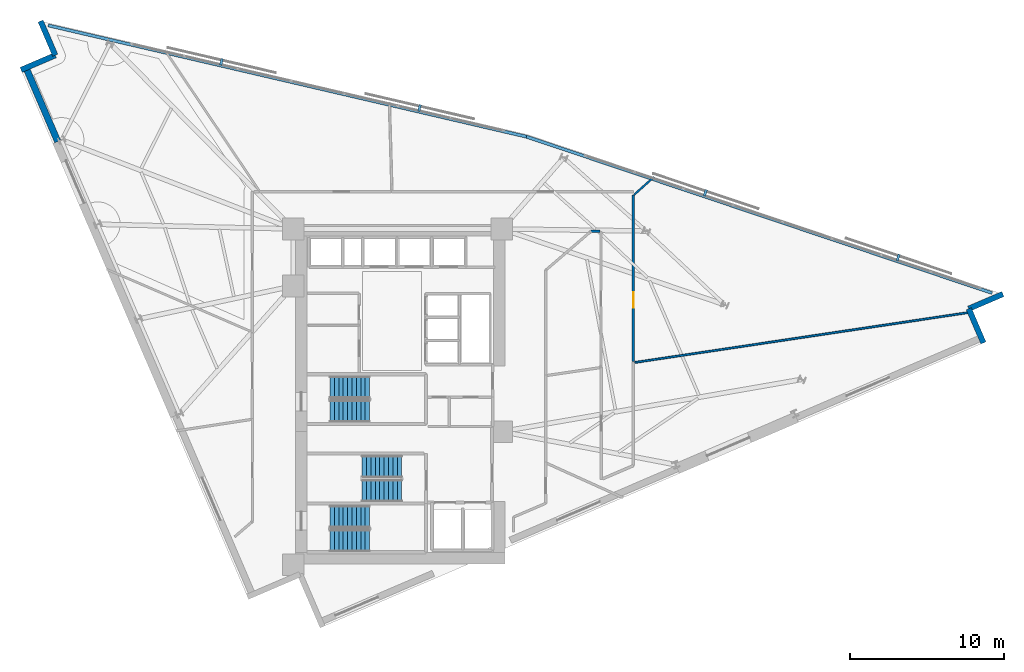
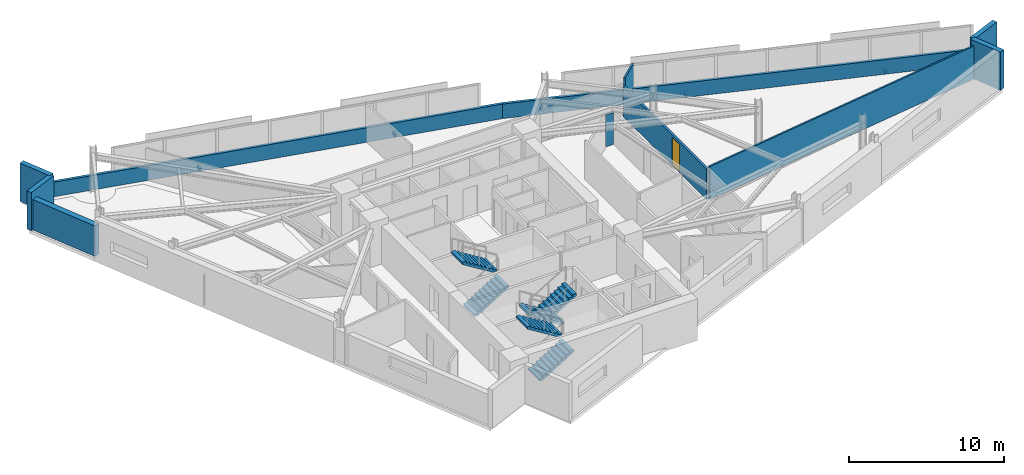
# One storey, part 12 of 14: 11 walls, 6 stair flights, 4 discrete accessories, 1 door, 1 opening, 3 elements without a shape of their own.
"""IFC4 building model written with IfcOpenShell, lengths in metres."""

from ifc_helpers import new_model, si_unit, direction, frame, frame_2d, origin, origin_2d, place, context, subcontext, project, spatial, polyline, rectangle, outline, extrude, material, layer, layer_set, type_object, element, fill, aggregate, save


model = new_model("IFC4")

# Units and contexts
model_context = context("Model", 3, precision=1e-05, world=origin(), true_north=direction((0.0, 1.0)))
body_context = subcontext(model_context, "Body", "Model", "MODEL_VIEW")
ifc_project = project(units=[si_unit("LENGTHUNIT", "METRE"), si_unit("AREAUNIT", "SQUARE_METRE"), si_unit("VOLUMEUNIT", "CUBIC_METRE"), si_unit("PLANEANGLEUNIT", "RADIAN"), si_unit("MASSUNIT", "GRAM", prefix="KILO")], contexts=[model_context])

# Site, building, storey
site_placement = place(None, origin())
site = spatial("IfcSite", under=ifc_project, at=site_placement, CompositionType="ELEMENT")
building_placement = place(site_placement, origin())
building = spatial("IfcBuilding", under=site, at=building_placement, Name="Narakoshi Arena Tower", CompositionType="ELEMENT")
storey_placement = place(building_placement, frame((0.0, 0.0, 193.179931640625)))
storey = spatial("IfcBuildingStorey", under=building, at=storey_placement, Name="L52", CompositionType="ELEMENT", Elevation=193.179931640625)

# Wall, opening, door
ifc_material_1 = material(Name="Gypsum plasterboard fire-rated partition")
ifc_layer_1 = layer(ifc_material_1, 0.1650390625)
ifc_layer_set_1 = layer_set([ifc_layer_1], Name="Gypsum plasterboard fire-rated partition")
wall_type_1 = type_object("IfcWallType", Name="WL-CORR-165", PredefinedType="PARTITIONING", material=ifc_layer_set_1)
wall_1_placement = place(storey_placement, frame((94.08740234375, 47.88330078125, 0.0), z_axis=(0.0, 0.0, 1.0), x_axis=(0.0, 1.0, 0.0)))
wall_1 = element("IfcWall", 1, at=wall_1_placement, inside=storey, type_object=wall_type_1, Name="L52 Corridor Partition 04-1", PredefinedType="PARTITIONING", context=body_context, shape_type="SweptSolid", body=[
    extrude(rectangle(XDim=10.826904296875, YDim=0.1650390625, at=frame_2d((5.41357421875, 0.0))), origin(), (0.0, 0.0, 1.0), 2.405029296875),
])
opening_placement = place(wall_1_placement, frame((3.49951171875, 0.0, 0.0)))
opening = element("IfcOpeningElement", 2, at=opening_placement, cuts=wall_1, Name="Opening D-06", PredefinedType="OPENING", context=body_context, shape_type="SweptSolid", body=[
    extrude(rectangle(XDim=1.0, YDim=2.199951171875, at=frame_2d((0.5, 1.10009765625))), frame((0.0, 0.092529296875, 0.0), z_axis=(0.0, -1.0, 0.0), x_axis=(1.0, 0.0, 0.0)), (0.0, 0.0, 1.0), 0.18505859375),
])
ifc_material_2 = material(Name="Stained oak solid-core timber", Category="wood")
door_type = type_object("IfcDoorType", Name="DR-OFF-1000", OperationType="NOTDEFINED", PredefinedType="DOOR", material=ifc_material_2)
door_placement = place(opening_placement, frame((1.0, 0.0, 0.0), z_axis=(0.0, 0.0, 1.0), x_axis=(-1.0, 0.0, 0.0)))
door = element("IfcDoor", 3, at=door_placement, inside=storey, type_object=door_type, Name="DR-L52-021", OperationType="SINGLE_SWING_LEFT", OverallHeight=2.199951171875, OverallWidth=1.0, PredefinedType="DOOR", context=body_context, shape_type="SweptSolid", body=[
    extrude(rectangle(XDim=1.0, YDim=2.199951171875, at=frame_2d((0.5, 1.10009765625))), frame((0.0, 0.02490234375, 0.0), z_axis=(0.0, -1.0, 0.0), x_axis=(1.0, 0.0, 0.0)), (0.0, 0.0, 1.0), 0.050048828125),
])
fill(opening, door)

# Walls
ifc_material_3 = material(Name="Precast concrete C45/55", Category="concrete")
ifc_layer_2 = layer(ifc_material_3, 0.25)
ifc_layer_set_2 = layer_set([ifc_layer_2], Name="Precast concrete C45/55")
wall_type_2 = type_object("IfcWallType", Name="WL-PARA-250", PredefinedType="PARAPET", material=ifc_layer_set_2)
wall_2_placement = place(storey_placement, frame((117.362548828125, 52.343505859375, 0.0), z_axis=(0.0, 0.0, 1.0), x_axis=(-0.94800468727, 0.31825636351, 0.0)))
element("IfcWall", 4, at=wall_2_placement, inside=storey, type_object=wall_type_2, Name="L52 Hypotenuse Sill Upstand Parapet 1-01", PredefinedType="PARAPET", context=body_context, shape_type="SweptSolid", body=[
    extrude(rectangle(XDim=31.869140625, YDim=0.199951171875, at=frame_2d((15.9345703125, 0.0))), origin(), (0.0, 0.0, 1.0), 1.150146484375),
])
wall_3_placement = place(storey_placement, frame((87.1650390625, 62.48193359375, 0.0), z_axis=(0.0, 0.0, 1.0), x_axis=(-0.973958867717, 0.226724775876, 0.0)))
element("IfcWall", 5, at=wall_3_placement, inside=storey, type_object=wall_type_2, Name="L52 Hypotenuse Sill Upstand Parapet 2-01", PredefinedType="PARAPET", context=body_context, shape_type="SweptSolid", body=[
    extrude(rectangle(XDim=31.89208984375, YDim=0.199951171875, at=frame_2d((15.946044921875, 0.0))), origin(), (0.0, 0.0, 1.0), 1.150146484375),
])
ifc_layer_3 = layer(ifc_material_1, 0.125)
ifc_layer_set_3 = layer_set([ifc_layer_3], Name="Gypsum plasterboard fire-rated partition")
wall_type_3 = type_object("IfcWallType", Name="WL-PART-125", PredefinedType="PARTITIONING", material=ifc_layer_set_3)
wall_4_placement = place(storey_placement, frame((94.181884765625, 47.83740234375, 0.0), z_axis=(0.0, 0.0, 1.0), x_axis=(0.988998268758, 0.147927091481, 0.0)))
element("IfcWall", 6, at=wall_4_placement, inside=storey, type_object=wall_type_3, Name="L52 Inter-Room Partition 03-04", PredefinedType="PARTITIONING", context=body_context, shape_type="SweptSolid", body=[
    extrude(rectangle(XDim=22.00830078125, YDim=0.125, at=frame_2d((11.004150390625, 0.0))), origin(), (0.0, 0.0, 1.0), 2.60498046875),
])
wall_5_placement = place(storey_placement, frame((94.119140625, 58.710205078125, 0.0), z_axis=(0.0, 0.0, 1.0), x_axis=(0.745853553409, 0.66610995854, 0.0)))
element("IfcWall", 7, at=wall_5_placement, inside=storey, type_object=wall_type_3, Name="L52 Inter-Room Partition 04-06", PredefinedType="PARTITIONING", context=body_context, shape_type="SweptSolid", body=[
    extrude(rectangle(XDim=1.751220703125, YDim=0.125, at=frame_2d((0.87548828125, 0.0))), origin(), (0.0, 0.0, 1.0), 3.02001953125),
])
ifc_layer_4 = layer(ifc_material_3, 0.419921875)
ifc_layer_set_4 = layer_set([ifc_layer_4], Name="Precast concrete C45/55")
wall_type_4 = type_object("IfcWallType", Name="WL-POD-420", PredefinedType="SOLIDWALL", material=ifc_layer_set_4)
wall_6_placement = place(storey_placement, frame((54.6708984375, 66.958984375, 0.0), z_axis=(0.0, 0.0, 1.0), x_axis=(0.394733507229, -0.918795656428, 0.0)))
element("IfcWall", 8, at=wall_6_placement, inside=storey, type_object=wall_type_4, Name="L52 Architectural Concrete Facade Wall LEGB-1", PredefinedType="SOLIDWALL", context=body_context, shape_type="SweptSolid", body=[
    extrude(rectangle(XDim=5.210205078125, YDim=0.419921875, at=frame_2d((2.60498046875, 0.0))), origin(), (0.0, 0.0, 1.0), 2.405029296875),
])
wall_7_placement = place(storey_placement, frame((116.8017578125, 49.105712890625, 0.0), z_axis=(0.0, 0.0, 1.0), x_axis=(-0.394712707157, 0.918804592288, 0.0)))
element("IfcWall", 9, at=wall_7_placement, inside=storey, type_object=wall_type_4, Name="L52 Re-Entrant Corner Notch Wall NTE-1", PredefinedType="SOLIDWALL", context=body_context, shape_type="SweptSolid", body=[
    extrude(rectangle(XDim=2.41357421875, YDim=0.360107421875, at=frame_2d((1.206787109375, 0.0))), origin(), (0.0, 0.0, 1.0), 3.02001953125),
])
wall_8_placement = place(storey_placement, frame((115.84912109375, 51.3232421875, 0.0), z_axis=(0.0, 0.0, 1.0), x_axis=(0.918788830096, 0.394749396062, 0.0)))
element("IfcWall", 10, at=wall_8_placement, inside=storey, type_object=wall_type_4, Name="L52 Re-Entrant Corner Notch Wall NTE-2", PredefinedType="SOLIDWALL", context=body_context, shape_type="SweptSolid", body=[
    extrude(rectangle(XDim=2.413330078125, YDim=0.360107421875, at=frame_2d((1.20654296875, 0.0))), origin(), (0.0, 0.0, 1.0), 3.02001953125),
])
wall_9_placement = place(storey_placement, frame((55.614013671875, 69.99072265625, 0.0), z_axis=(0.0, 0.0, 1.0), x_axis=(0.394663989422, -0.918825519592, 0.0)))
element("IfcWall", 11, at=wall_9_placement, inside=storey, type_object=wall_type_4, Name="L52 Re-Entrant Corner Notch Wall NTN-1", PredefinedType="SOLIDWALL", context=body_context, shape_type="SweptSolid", body=[
    extrude(rectangle(XDim=2.4130859375, YDim=0.360107421875, at=frame_2d((1.20654296875, 0.0))), origin(), (0.0, 0.0, 1.0), 3.02001953125),
])
wall_10_placement = place(storey_placement, frame((56.56640625, 67.7734375, 0.0), z_axis=(0.0, 0.0, 1.0), x_axis=(-0.918788830096, -0.394749396062, 0.0)))
element("IfcWall", 12, at=wall_10_placement, inside=storey, type_object=wall_type_4, Name="L52 Re-Entrant Corner Notch Wall NTN-2", PredefinedType="SOLIDWALL", context=body_context, shape_type="SweptSolid", body=[
    extrude(rectangle(XDim=2.413330078125, YDim=0.360107421875, at=frame_2d((1.20654296875, 0.0))), origin(), (0.0, 0.0, 1.0), 3.02001953125),
])
ifc_material_4 = material(Name="Moisture-resistant cement-board partition")
ifc_layer_5 = layer(ifc_material_4, 0.14501953125)
ifc_layer_set_5 = layer_set([ifc_layer_5], Name="Moisture-resistant cement-board partition")
wall_type_5 = type_object("IfcWallType", Name="WL-WET-145", PredefinedType="PARTITIONING", material=ifc_layer_set_5)
wall_11_placement = place(storey_placement, frame((91.33837890625, 56.35009765625, 0.0), z_axis=(0.0, 0.0, 1.0), x_axis=(1.0, 0.0, 0.0)))
element("IfcWall", 13, at=wall_11_placement, inside=storey, type_object=wall_type_5, Name="L52 Corridor Partition 05-3", PredefinedType="PARTITIONING", context=body_context, shape_type="SweptSolid", body=[
    extrude(rectangle(XDim=0.564697265625, YDim=0.14501953125, at=frame_2d((0.2822265625, 0.0))), origin(), (0.0, 0.0, 1.0), 2.505126953125),
])

# Stair, stair flights
ifc_material_5 = material(Name="Concrete C45/55", Category="concrete")
stair_type = type_object("IfcStairType", Name="STR-CORE-352", PredefinedType="TWO_STRAIGHT_RUN_STAIR", material=ifc_material_5)
stair_1_placement = place(storey_placement, origin())
stair_1 = element("IfcStair", 14, at=stair_1_placement, inside=storey, type_object=stair_type, Name="L52 Core Escape Stair ST1", PredefinedType="TWO_STRAIGHT_RUN_STAIR")
stair_flight_type = type_object("IfcStairFlightType", Name="FLT-145-160", PredefinedType="STRAIGHT", material=ifc_material_3)
stair_flight_1_placement = place(storey_placement, frame((74.39990234375, 36.27490234375, 0.0), z_axis=(0.0, 0.0, 1.0), x_axis=(1.0, 0.0, 0.0)))
stair_flight_1 = element("IfcStairFlight", 15, at=stair_flight_1_placement, type_object=stair_flight_type, Name="ST1 flight 1", NumberOfRisers=10, NumberOfTreads=9, PredefinedType="STRAIGHT", RiserHeight=0.176, TreadLength=0.285, context=body_context, shape_type="SweptSolid", body=[
    extrude(outline(polyline([(0.0, 0.0), (0.0, 0.176025390625), (0.284912109375, 0.176025390625), (0.284912109375, 0.35205078125), (0.570068359375, 0.35205078125), (0.570068359375, 0.528076171875), (0.85498046875, 0.528076171875), (0.85498046875, 0.7041015625), (1.139892578125, 0.7041015625), (1.139892578125, 0.8798828125), (1.425048828125, 0.8798828125), (1.425048828125, 1.055908203125), (1.7099609375, 1.055908203125), (1.7099609375, 1.23193359375), (1.9951171875, 1.23193359375), (1.9951171875, 1.407958984375), (2.280029296875, 1.407958984375), (2.280029296875, 1.583984375), (2.56494140625, 1.583984375), (2.56494140625, 1.760009765625), (2.56494140625, 1.40771484375), (0.285400390625, 0.0), (0.0, 0.0)])), frame((0.0, 0.72509765625, 0.0), z_axis=(0.0, -1.0, 0.0), x_axis=(1.0, 0.0, 0.0)), (0.0, 0.0, 1.0), 1.449951171875),
])
stair_flight_2_placement = place(storey_placement, frame((76.965087890625, 37.824951171875, 1.760009765625), z_axis=(0.0, 0.0, 1.0), x_axis=(-1.0, 0.0, 0.0)))
stair_flight_2 = element("IfcStairFlight", 16, at=stair_flight_2_placement, type_object=stair_flight_type, Name="ST1 flight 2", NumberOfRisers=10, NumberOfTreads=9, PredefinedType="STRAIGHT", RiserHeight=0.176, TreadLength=0.285, context=body_context, shape_type="SweptSolid", body=[
    extrude(outline(polyline([(0.0, 0.0), (0.0, 0.176025390625), (0.284912109375, 0.176025390625), (0.284912109375, 0.35205078125), (0.570068359375, 0.35205078125), (0.570068359375, 0.528076171875), (0.85498046875, 0.528076171875), (0.85498046875, 0.7041015625), (1.139892578125, 0.7041015625), (1.139892578125, 0.8798828125), (1.425048828125, 0.8798828125), (1.425048828125, 1.055908203125), (1.7099609375, 1.055908203125), (1.7099609375, 1.23193359375), (1.9951171875, 1.23193359375), (1.9951171875, 1.407958984375), (2.280029296875, 1.407958984375), (2.280029296875, 1.583984375), (2.56494140625, 1.583984375), (2.56494140625, 1.760009765625), (2.56494140625, 1.40771484375), (0.285400390625, 0.0), (0.0, 0.0)])), frame((0.0, 0.72509765625, 0.0), z_axis=(0.0, -1.0, 0.0), x_axis=(1.0, 0.0, 0.0)), (0.0, 0.0, 1.0), 1.449951171875),
])
aggregate(stair_1, [stair_flight_1, stair_flight_2])

stair_2_placement = place(storey_placement, origin())
stair_2 = element("IfcStair", 17, at=stair_2_placement, inside=storey, type_object=stair_type, Name="L52 Core Escape Stair ST2", PredefinedType="TWO_STRAIGHT_RUN_STAIR")
stair_flight_3_placement = place(storey_placement, frame((79.050048828125, 41.074951171875, 0.0), z_axis=(0.0, 0.0, 1.0), x_axis=(-1.0, 0.0, 0.0)))
stair_flight_3 = element("IfcStairFlight", 18, at=stair_flight_3_placement, type_object=stair_flight_type, Name="ST2 flight 1", NumberOfRisers=10, NumberOfTreads=9, PredefinedType="STRAIGHT", RiserHeight=0.176, TreadLength=0.285, context=body_context, shape_type="SweptSolid", body=[
    extrude(outline(polyline([(0.0, 0.0), (0.0, 0.176025390625), (0.284912109375, 0.176025390625), (0.284912109375, 0.35205078125), (0.570068359375, 0.35205078125), (0.570068359375, 0.528076171875), (0.85498046875, 0.528076171875), (0.85498046875, 0.7041015625), (1.139892578125, 0.7041015625), (1.139892578125, 0.8798828125), (1.425048828125, 0.8798828125), (1.425048828125, 1.055908203125), (1.7099609375, 1.055908203125), (1.7099609375, 1.23193359375), (1.9951171875, 1.23193359375), (1.9951171875, 1.407958984375), (2.280029296875, 1.407958984375), (2.280029296875, 1.583984375), (2.56494140625, 1.583984375), (2.56494140625, 1.760009765625), (2.56494140625, 1.40771484375), (0.285400390625, 0.0), (0.0, 0.0)])), frame((0.0, 0.72509765625, 0.0), z_axis=(0.0, -1.0, 0.0), x_axis=(1.0, 0.0, 0.0)), (0.0, 0.0, 1.0), 1.449951171875),
])
stair_flight_4_placement = place(storey_placement, frame((76.485107421875, 39.52490234375, 1.760009765625), z_axis=(0.0, 0.0, 1.0), x_axis=(1.0, 0.0, 0.0)))
stair_flight_4 = element("IfcStairFlight", 19, at=stair_flight_4_placement, type_object=stair_flight_type, Name="ST2 flight 2", NumberOfRisers=10, NumberOfTreads=9, PredefinedType="STRAIGHT", RiserHeight=0.176, TreadLength=0.285, context=body_context, shape_type="SweptSolid", body=[
    extrude(outline(polyline([(0.0, 0.0), (0.0, 0.176025390625), (0.284912109375, 0.176025390625), (0.284912109375, 0.35205078125), (0.570068359375, 0.35205078125), (0.570068359375, 0.528076171875), (0.85498046875, 0.528076171875), (0.85498046875, 0.7041015625), (1.139892578125, 0.7041015625), (1.139892578125, 0.8798828125), (1.425048828125, 0.8798828125), (1.425048828125, 1.055908203125), (1.7099609375, 1.055908203125), (1.7099609375, 1.23193359375), (1.9951171875, 1.23193359375), (1.9951171875, 1.407958984375), (2.280029296875, 1.407958984375), (2.280029296875, 1.583984375), (2.56494140625, 1.583984375), (2.56494140625, 1.760009765625), (2.56494140625, 1.40771484375), (0.285400390625, 0.0), (0.0, 0.0)])), frame((0.0, 0.72509765625, 0.0), z_axis=(0.0, -1.0, 0.0), x_axis=(1.0, 0.0, 0.0)), (0.0, 0.0, 1.0), 1.449951171875),
])
aggregate(stair_2, [stair_flight_3, stair_flight_4])

stair_3_placement = place(storey_placement, origin())
stair_3 = element("IfcStair", 20, at=stair_3_placement, inside=storey, type_object=stair_type, Name="L52 Core Escape Stair ST3", PredefinedType="TWO_STRAIGHT_RUN_STAIR")
stair_flight_5_placement = place(storey_placement, frame((74.39990234375, 44.675048828125, 0.0), z_axis=(0.0, 0.0, 1.0), x_axis=(1.0, 0.0, 0.0)))
stair_flight_5 = element("IfcStairFlight", 21, at=stair_flight_5_placement, type_object=stair_flight_type, Name="ST3 flight 1", NumberOfRisers=10, NumberOfTreads=9, PredefinedType="STRAIGHT", RiserHeight=0.176, TreadLength=0.285, context=body_context, shape_type="SweptSolid", body=[
    extrude(outline(polyline([(0.0, 0.0), (0.0, 0.176025390625), (0.284912109375, 0.176025390625), (0.284912109375, 0.35205078125), (0.570068359375, 0.35205078125), (0.570068359375, 0.528076171875), (0.85498046875, 0.528076171875), (0.85498046875, 0.7041015625), (1.139892578125, 0.7041015625), (1.139892578125, 0.8798828125), (1.425048828125, 0.8798828125), (1.425048828125, 1.055908203125), (1.7099609375, 1.055908203125), (1.7099609375, 1.23193359375), (1.9951171875, 1.23193359375), (1.9951171875, 1.407958984375), (2.280029296875, 1.407958984375), (2.280029296875, 1.583984375), (2.56494140625, 1.583984375), (2.56494140625, 1.760009765625), (2.56494140625, 1.40771484375), (0.285400390625, 0.0), (0.0, 0.0)])), frame((0.0, 0.72509765625, 0.0), z_axis=(0.0, -1.0, 0.0), x_axis=(1.0, 0.0, 0.0)), (0.0, 0.0, 1.0), 1.449951171875),
])
stair_flight_6_placement = place(storey_placement, frame((76.965087890625, 46.22509765625, 1.760009765625), z_axis=(0.0, 0.0, 1.0), x_axis=(-1.0, 0.0, 0.0)))
stair_flight_6 = element("IfcStairFlight", 22, at=stair_flight_6_placement, type_object=stair_flight_type, Name="ST3 flight 2", NumberOfRisers=10, NumberOfTreads=9, PredefinedType="STRAIGHT", RiserHeight=0.176, TreadLength=0.285, context=body_context, shape_type="SweptSolid", body=[
    extrude(outline(polyline([(0.0, 0.0), (0.0, 0.176025390625), (0.284912109375, 0.176025390625), (0.284912109375, 0.35205078125), (0.570068359375, 0.35205078125), (0.570068359375, 0.528076171875), (0.85498046875, 0.528076171875), (0.85498046875, 0.7041015625), (1.139892578125, 0.7041015625), (1.139892578125, 0.8798828125), (1.425048828125, 0.8798828125), (1.425048828125, 1.055908203125), (1.7099609375, 1.055908203125), (1.7099609375, 1.23193359375), (1.9951171875, 1.23193359375), (1.9951171875, 1.407958984375), (2.280029296875, 1.407958984375), (2.280029296875, 1.583984375), (2.56494140625, 1.583984375), (2.56494140625, 1.760009765625), (2.56494140625, 1.40771484375), (0.285400390625, 0.0), (0.0, 0.0)])), frame((0.0, 0.72509765625, 0.0), z_axis=(0.0, -1.0, 0.0), x_axis=(1.0, 0.0, 0.0)), (0.0, 0.0, 1.0), 1.449951171875),
])
aggregate(stair_3, [stair_flight_5, stair_flight_6])

# Discrete accessories
ifc_material_6 = material(Name="Structural steel S355J2", Category="steel")
discrete_accessory_type = type_object("IfcDiscreteAccessoryType", Name="ACC-BRK-SCR", PredefinedType="BRACKET", material=ifc_material_6)
for number, where, z_axis, x_axis, name in (
    (23, (111.266357421875, 54.64306640625, -0.080078125), (0.0, 0.0, 1.0), (-0.948001964735, 0.318264473134, 0.0), "L52 Solar Screen Support Bracket SHD-L52-SCR1-1"),
    (24, (98.752685546875, 58.84423828125, -0.080078125), (0.0, 0.0, 1.0), (-0.948001964735, 0.318264473134, 0.0), "L52 Solar Screen Support Bracket SHD-L52-SCR1-2"),
    (25, (80.206787109375, 64.34814453125, -0.080078125), (0.0, 0.0, 1.0), (-0.973960141659, 0.226719303234, 0.0), "L52 Solar Screen Support Bracket SHD-L52-SCR2-1"),
    (26, (67.3505859375, 67.3408203125, -0.080078125), (0.0, 0.0, 1.0), (-0.973960141659, 0.226719303234, 0.0), "L52 Solar Screen Support Bracket SHD-L52-SCR2-2"),
):
    element("IfcDiscreteAccessory", number, at=place(storey_placement, frame(where, z_axis=z_axis, x_axis=x_axis)), inside=storey, type_object=discrete_accessory_type, Name=name, PredefinedType="BRACKET", context=body_context, shape_type="SweptSolid", body=[
        extrude(rectangle(XDim=0.159912109375, YDim=0.43994140625, at=origin_2d()), origin(), (0.0, 0.0, 1.0), 0.199951171875),
    ])

save(model, "model.ifc")
